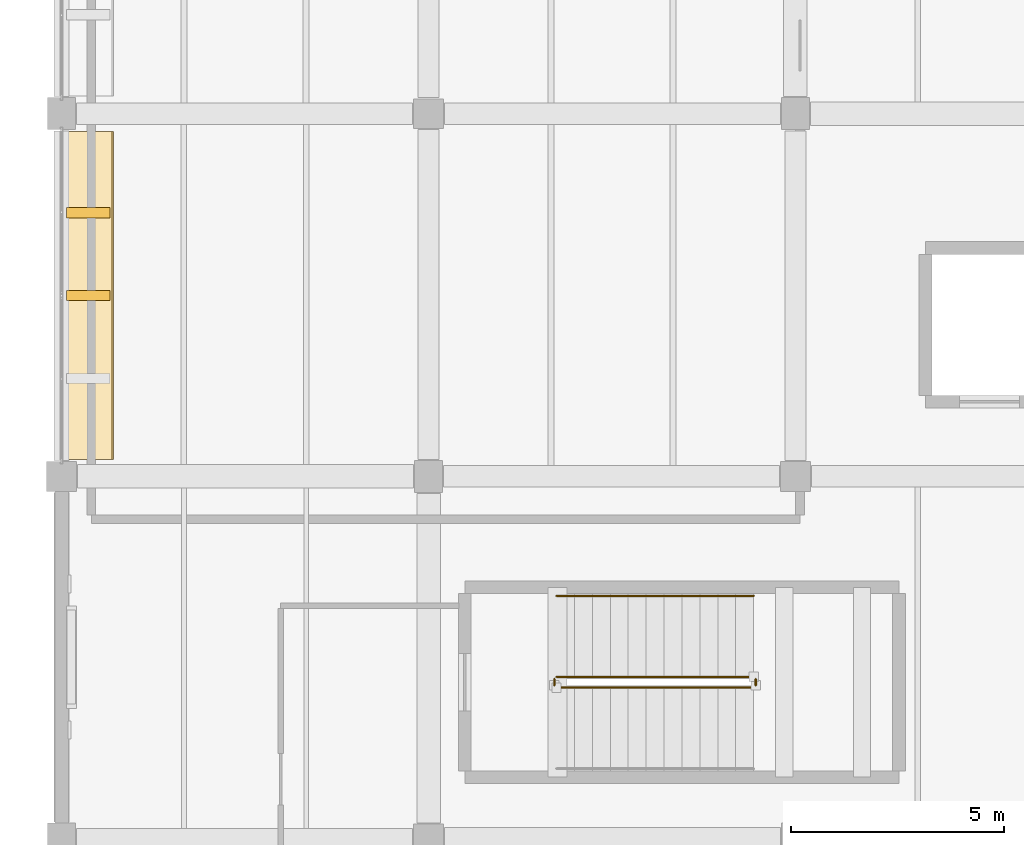
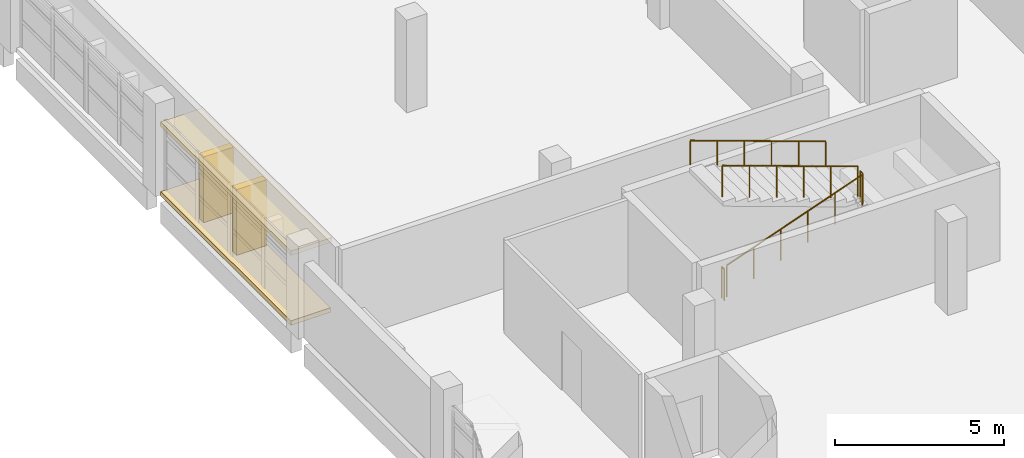
# One storey, part 70 of 75: 5 railings, 2 coverings, 2 shading devices.
"""IFC4 building model written with IfcOpenShell, lengths in metres."""

from ifc_helpers import new_model, si_unit, direction, frame, origin, origin_2d, place, context, subcontext, project, spatial, polyline, rectangle, circle, outline, extrude, material, layer, layer_set, type_object, element, save


model = new_model("IFC4")

# Units and contexts
model_context = context("Model", 3, precision=1e-05, world=origin(), true_north=direction((0.0, 1.0)))
body_context = subcontext(model_context, "Body", "Model", "MODEL_VIEW")
ifc_project = project(units=[si_unit("LENGTHUNIT", "METRE"), si_unit("AREAUNIT", "SQUARE_METRE"), si_unit("VOLUMEUNIT", "CUBIC_METRE"), si_unit("PLANEANGLEUNIT", "RADIAN"), si_unit("MASSUNIT", "GRAM", prefix="KILO")], contexts=[model_context])

# Site, building, storey
site_placement = place(None, origin())
site = spatial("IfcSite", under=ifc_project, at=site_placement, CompositionType="ELEMENT")
building_placement = place(site_placement, origin())
building = spatial("IfcBuilding", under=site, at=building_placement, Name="Varnakota Cinema and Media Centre", CompositionType="ELEMENT")
storey_placement = place(building_placement, frame((0.0, 0.0, 8.39990234375)))
storey = spatial("IfcBuildingStorey", under=building, at=storey_placement, Name="L02", CompositionType="ELEMENT", Elevation=8.39990234375)

# Coverings
ifc_material_1 = material(Name="Precast concrete M40", Category="concrete")
ifc_layer_1 = layer(ifc_material_1, 0.159912109375)
ifc_layer_set_1 = layer_set([ifc_layer_1], Name="Precast concrete M40")
covering_type = type_object("IfcCoveringType", Name="COV-CHAJJA-160", PredefinedType="CLADDING", material=ifc_layer_set_1)
covering_1_placement = place(storey_placement, frame((0.0, 0.0, 2.51513671875)))
element("IfcCovering", 1, at=covering_1_placement, inside=storey, type_object=covering_type, Name="L02 Brutalist chajja overhang V5-W-3", PredefinedType="CLADDING", context=body_context, shape_type="SweptSolid", body=[
    extrude(outline(polyline([(-0.179931640625, 60.5849609375), (-0.179931640625, 52.889892578125), (1.219970703125, 52.889892578125), (1.219970703125, 60.5849609375), (-0.179931640625, 60.5849609375)])), origin(), (0.0, 0.0, 1.0), 0.159912109375),
])
covering_2_placement = place(storey_placement, origin())
element("IfcCovering", 2, at=covering_2_placement, inside=storey, type_object=covering_type, Name="L02 brise-soleil base plinth V5-W-3", PredefinedType="CLADDING", context=body_context, shape_type="SweptSolid", body=[
    extrude(outline(polyline([(-0.179931640625, 60.5849609375), (-0.179931640625, 52.889892578125), (1.179931640625, 52.889892578125), (1.179931640625, 60.5849609375), (-0.179931640625, 60.5849609375)])), origin(), (0.0, 0.0, 1.0), 0.16015625),
])

# Railings
ifc_material_2 = material(Name="Structural steel Grade 350 (E350)", Category="steel")
ifc_layer_2 = layer(ifc_material_2, 0.050048828125)
ifc_layer_set_2 = layer_set([ifc_layer_2], Name="Structural steel Grade 350 (E350)")
railing_type_1 = type_object("IfcRailingType", Name="RAIL-STAIR-GUARD-1150", PredefinedType="GUARDRAIL", material=ifc_layer_set_2)
railing_1_placement = place(storey_placement, frame((11.60009765625, 47.550048828125, 0.150146484375)))
element("IfcRailing", 3, at=railing_1_placement, inside=storey, type_object=railing_type_1, Name="L02 ST-03 stair guard 1", PredefinedType="GUARDRAIL", context=body_context, shape_type="SweptSolid", body=[
    extrude(circle(Radius=0.02392578125, at=origin_2d()), frame((0.0, 0.0, 1.1259765625), z_axis=(0.941745289414, 0.0, 0.336326938956), x_axis=(0.0, 1.0, 0.0)), (0.0, 0.0, 1.0), 4.90576171875),
    extrude(circle(Radius=0.02099609375, at=origin_2d()), origin(), (0.0, 0.0, 1.0), 1.101806640625),
    extrude(circle(Radius=0.02099609375, at=origin_2d()), frame((0.924072265625, 0.0, 0.330078125)), (0.0, 0.0, 1.0), 1.101806640625),
    extrude(circle(Radius=0.02099609375, at=origin_2d()), frame((1.847900390625, 0.0, 0.659912109375)), (0.0, 0.0, 1.0), 1.101806640625),
    extrude(circle(Radius=0.02099609375, at=origin_2d()), frame((2.77197265625, 0.0, 0.989990234375)), (0.0, 0.0, 1.0), 1.101806640625),
    extrude(circle(Radius=0.02099609375, at=origin_2d()), frame((3.69580078125, 0.0, 1.31982421875)), (0.0, 0.0, 1.0), 1.101806640625),
    extrude(circle(Radius=0.02099609375, at=origin_2d()), frame((4.619873046875, 0.0, 1.64990234375)), (0.0, 0.0, 1.0), 1.101806640625),
])
railing_2_placement = place(storey_placement, frame((16.27001953125, 47.60009765625, 1.800048828125)))
element("IfcRailing", 4, at=railing_2_placement, inside=storey, type_object=railing_type_1, Name="L02 ST-03 stair guard 2", PredefinedType="GUARDRAIL", context=body_context, shape_type="SweptSolid", body=[
    extrude(circle(Radius=0.02392578125, at=origin_2d()), frame((0.0, 0.0, 1.1259765625), z_axis=(0.0, 1.0, 0.0), x_axis=(-1.0, 0.0, 0.0)), (0.0, 0.0, 1.0), 0.14990234375),
    extrude(circle(Radius=0.02099609375, at=origin_2d()), origin(), (0.0, 0.0, 1.0), 1.101806640625),
    extrude(circle(Radius=0.02099609375, at=origin_2d()), frame((0.0, 0.14990234375, 0.0)), (0.0, 0.0, 1.0), 1.101806640625),
])
railing_3_placement = place(storey_placement, frame((16.219970703125, 47.800048828125, 1.9501953125)))
element("IfcRailing", 5, at=railing_3_placement, inside=storey, type_object=railing_type_1, Name="L02 ST-03 stair guard 3", PredefinedType="GUARDRAIL", context=body_context, shape_type="SweptSolid", body=[
    extrude(circle(Radius=0.02392578125, at=origin_2d()), frame((0.0, 0.0, 1.1259765625), z_axis=(-0.941745289414, 0.0, 0.336326938956), x_axis=(0.0, -1.0, 0.0)), (0.0, 0.0, 1.0), 4.90576171875),
    extrude(circle(Radius=0.02099609375, at=origin_2d()), origin(), (0.0, 0.0, 1.0), 1.101806640625),
    extrude(circle(Radius=0.02099609375, at=origin_2d()), frame((-0.924072265625, 0.0, 0.330078125)), (0.0, 0.0, 1.0), 1.101806640625),
    extrude(circle(Radius=0.02099609375, at=origin_2d()), frame((-1.847900390625, 0.0, 0.659912109375)), (0.0, 0.0, 1.0), 1.101806640625),
    extrude(circle(Radius=0.02099609375, at=origin_2d()), frame((-2.77197265625, 0.0, 0.989990234375)), (0.0, 0.0, 1.0), 1.101806640625),
    extrude(circle(Radius=0.02099609375, at=origin_2d()), frame((-3.69580078125, 0.0, 1.31982421875)), (0.0, 0.0, 1.0), 1.101806640625),
    extrude(circle(Radius=0.02099609375, at=origin_2d()), frame((-4.619873046875, 0.0, 1.64990234375)), (0.0, 0.0, 1.0), 1.101806640625),
])
railing_4_placement = place(storey_placement, frame((11.550048828125, 47.60009765625, 0.0)))
element("IfcRailing", 6, at=railing_4_placement, inside=storey, type_object=railing_type_1, Name="L02 ST-03 stair guard 4", PredefinedType="GUARDRAIL", context=body_context, shape_type="SweptSolid", body=[
    extrude(circle(Radius=0.02392578125, at=origin_2d()), frame((0.0, 0.0, 1.1259765625), z_axis=(0.0, 1.0, 0.0), x_axis=(-1.0, 0.0, 0.0)), (0.0, 0.0, 1.0), 0.14990234375),
    extrude(circle(Radius=0.02099609375, at=origin_2d()), origin(), (0.0, 0.0, 1.0), 1.101806640625),
    extrude(circle(Radius=0.02099609375, at=origin_2d()), frame((0.0, 0.14990234375, 0.0)), (0.0, 0.0, 1.0), 1.101806640625),
])
ifc_material_3 = material(Name="Structural steel Grade 350 (E350)", Category="steel")
ifc_layer_3 = layer(ifc_material_3, 0.048095703125)
ifc_layer_set_3 = layer_set([ifc_layer_3], Name="Structural steel Grade 350 (E350)")
railing_type_2 = type_object("IfcRailingType", Name="RAIL-STAIR-HAND-900", PredefinedType="HANDRAIL", material=ifc_layer_set_3)
railing_5_placement = place(storey_placement, frame((16.219970703125, 49.699951171875, 1.9501953125)))
element("IfcRailing", 7, at=railing_5_placement, inside=storey, type_object=railing_type_2, Name="L02 ST-03 stair handrail 2", PredefinedType="HANDRAIL", context=body_context, shape_type="SweptSolid", body=[
    extrude(circle(Radius=0.02392578125, at=origin_2d()), frame((0.0, 0.0, 0.8759765625), z_axis=(-0.941745289414, 0.0, 0.336326938956), x_axis=(0.0, -1.0, 0.0)), (0.0, 0.0, 1.0), 4.90576171875),
    extrude(circle(Radius=0.02099609375, at=origin_2d()), origin(), (0.0, 0.0, 1.0), 0.851806640625),
    extrude(circle(Radius=0.02099609375, at=origin_2d()), frame((-0.924072265625, 0.0, 0.330078125)), (0.0, 0.0, 1.0), 0.851806640625),
    extrude(circle(Radius=0.02099609375, at=origin_2d()), frame((-1.847900390625, 0.0, 0.659912109375)), (0.0, 0.0, 1.0), 0.851806640625),
    extrude(circle(Radius=0.02099609375, at=origin_2d()), frame((-2.77197265625, 0.0, 0.989990234375)), (0.0, 0.0, 1.0), 0.851806640625),
    extrude(circle(Radius=0.02099609375, at=origin_2d()), frame((-3.69580078125, 0.0, 1.31982421875)), (0.0, 0.0, 1.0), 0.851806640625),
    extrude(circle(Radius=0.02099609375, at=origin_2d()), frame((-4.619873046875, 0.0, 1.64990234375)), (0.0, 0.0, 1.0), 0.851806640625),
])

# Shading devices
ifc_material_4 = material(Name="Precast concrete M40", Category="concrete")
shading_device_type = type_object("IfcShadingDeviceType", Name="SHD-BRISE-FIN-240", PredefinedType="JALOUSIE", material=ifc_material_4)
for number, where, z_axis, x_axis, name in (
    (8, (0.6298828125, 58.681396484375, 0.150146484375), (0.0, 0.0, 1.0), (0.0, -1.0, 0.0), "L02 vertical concrete brise-soleil fin V5-W-3.1"),
    (9, (0.6298828125, 56.737548828125, 0.150146484375), (0.0, 0.0, 1.0), (0.0, -1.0, 0.0), "L02 vertical concrete brise-soleil fin V5-W-3.2"),
):
    element("IfcShadingDevice", number, at=place(storey_placement, frame(where, z_axis=z_axis, x_axis=x_axis)), inside=storey, type_object=shading_device_type, Name=name, PredefinedType="JALOUSIE", context=body_context, shape_type="SweptSolid", body=[
        extrude(rectangle(XDim=0.239990234375, YDim=1.02001953125, at=origin_2d()), origin(), (0.0, 0.0, 1.0), 2.375),
    ])

save(model, "model.ifc")
